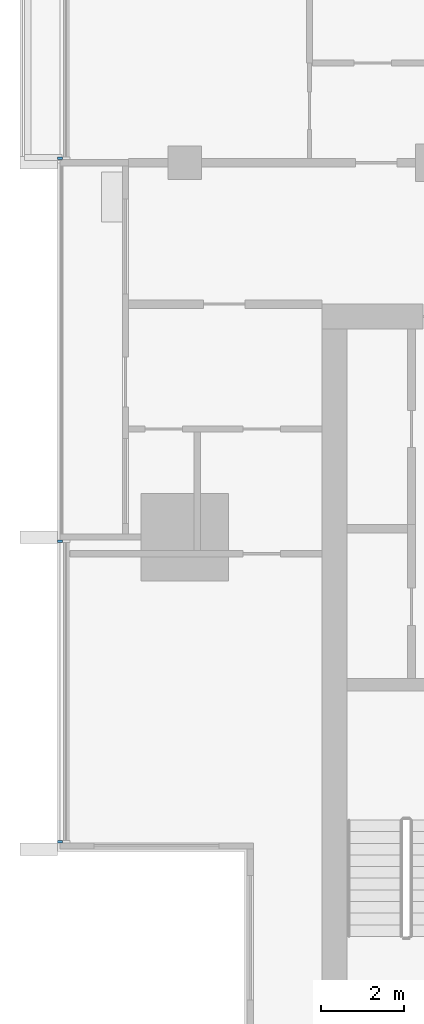
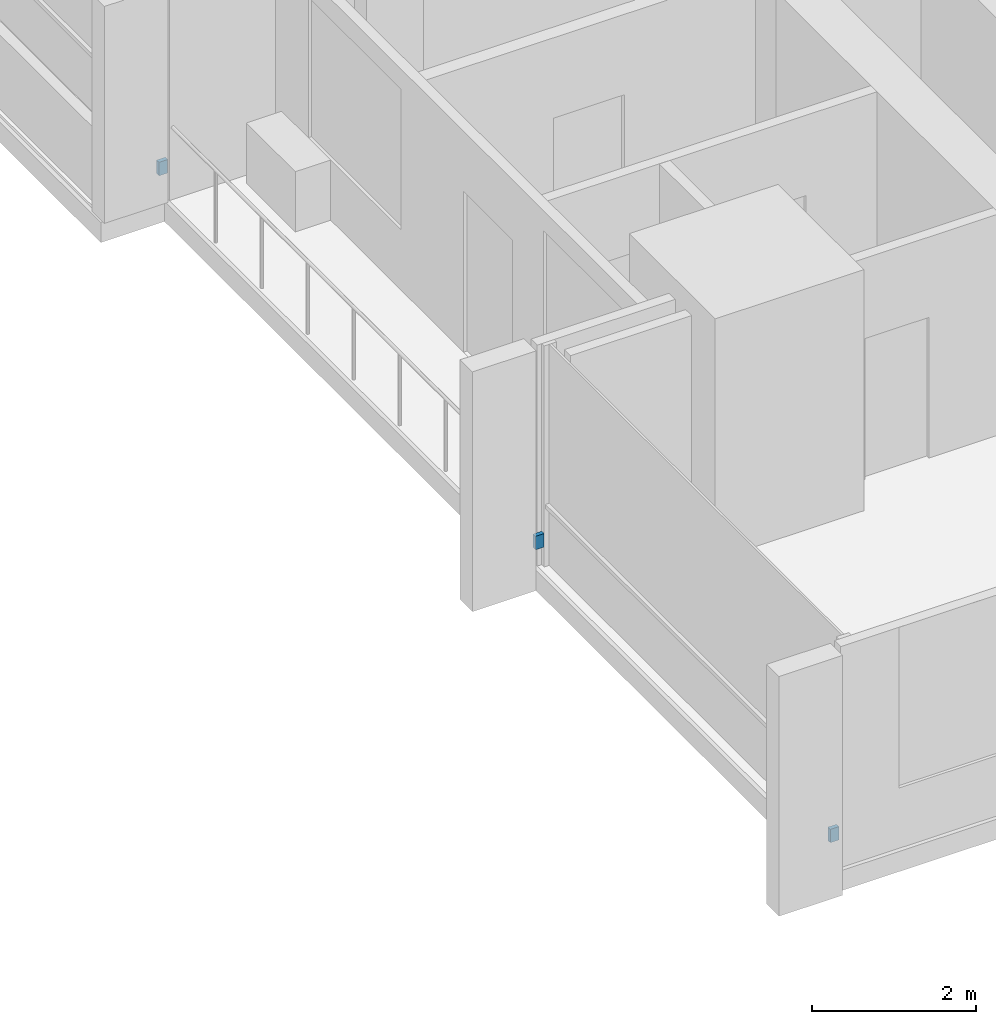
# One storey, part 12 of 16: 3 discrete accessories.
"""IFC4 building model written with IfcOpenShell, lengths in metres."""

from ifc_helpers import new_model, si_unit, direction, frame, origin, origin_2d, place, context, subcontext, project, spatial, rectangle, extrude, material, type_object, element, save


model = new_model("IFC4")

# Units and contexts
model_context = context("Model", 3, precision=1e-05, world=origin(), true_north=direction((0.0, 1.0)))
body_context = subcontext(model_context, "Body", "Model", "MODEL_VIEW")
ifc_project = project(units=[si_unit("LENGTHUNIT", "METRE"), si_unit("AREAUNIT", "SQUARE_METRE"), si_unit("VOLUMEUNIT", "CUBIC_METRE"), si_unit("PLANEANGLEUNIT", "RADIAN"), si_unit("MASSUNIT", "GRAM", prefix="KILO")], contexts=[model_context])

# Site, building, storey
site_placement = place(None, origin())
site = spatial("IfcSite", under=ifc_project, at=site_placement, CompositionType="ELEMENT")
building_placement = place(site_placement, origin())
building = spatial("IfcBuilding", under=site, at=building_placement, Name="Finial Court Residences", CompositionType="ELEMENT")
storey_placement = place(building_placement, frame((0.0, 0.0, 230.300048828125)))
storey = spatial("IfcBuildingStorey", under=building, at=storey_placement, Name="L58", CompositionType="ELEMENT", Elevation=230.300048828125)

# Discrete accessories
ifc_material = material(Name="Stainless steel 316", Category="steel")
discrete_accessory_type = type_object("IfcDiscreteAccessoryType", Name="Fin bracket, stainless steel 60 x 122 x 200", PredefinedType="BRACKET", material=ifc_material)
for number, where, z_axis, x_axis, name in (
    (1, (-19.498779296875, -20.820068359375, 0.2998046875), (0.0, 0.0, 1.0), (1.0, 0.0, 0.0), "E-L58-FIN-W21-BRK"),
    (2, (-19.498779296875, -13.60498046875, 0.2998046875), (0.0, 0.0, 1.0), (1.0, 0.0, 0.0), "E-L58-FIN-W22-BRK"),
    (3, (-19.498779296875, -4.39501953125, 0.2998046875), (0.0, 0.0, 1.0), (1.0, 0.0, 0.0), "E-L58-FIN-W23-BRK"),
):
    element("IfcDiscreteAccessory", number, at=place(storey_placement, frame(where, z_axis=z_axis, x_axis=x_axis)), inside=storey, type_object=discrete_accessory_type, Name=name, PredefinedType="BRACKET", context=body_context, shape_type="SweptSolid", body=[
        extrude(rectangle(XDim=0.12255859375, YDim=0.06005859375, at=origin_2d()), origin(), (0.0, 0.0, 1.0), 0.199951171875),
    ])

save(model, "model.ifc")
